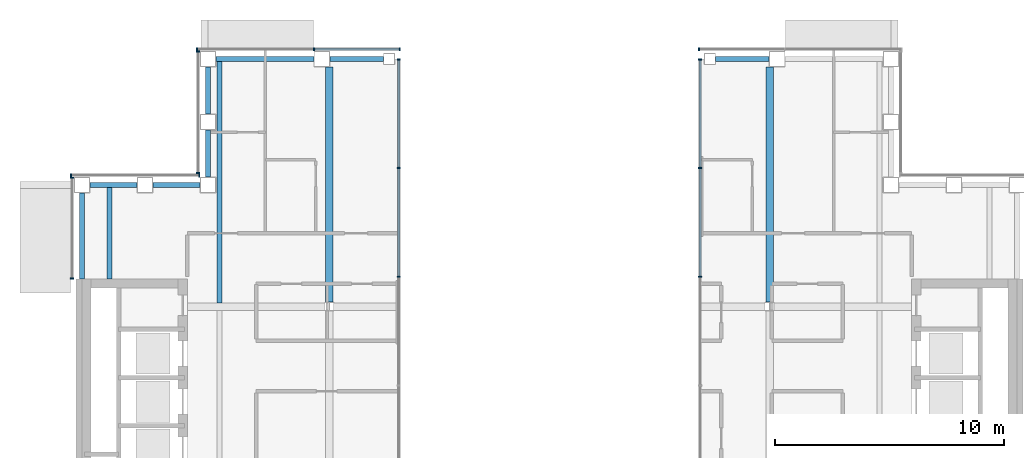
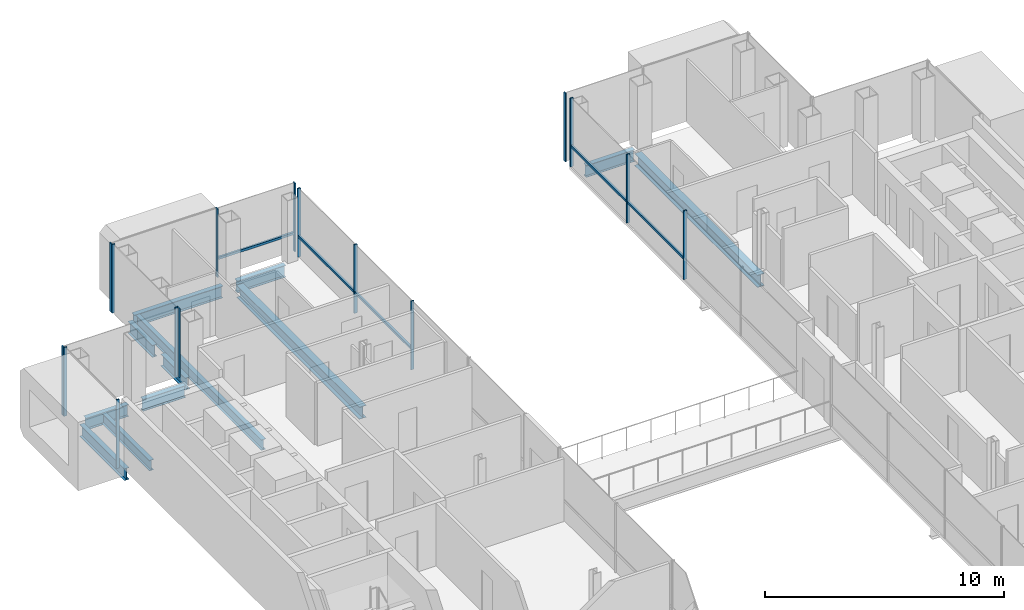
# One storey, part 7 of 17: 21 members, 12 beams, 7 elements without a shape of their own.
"""IFC4 building model written with IfcOpenShell, lengths in metres."""

from ifc_helpers import new_model, si_unit, direction, frame, origin, origin_2d, place, context, subcontext, project, spatial, rectangle, i_section, extrude, material, material_profile, profile_set, type_object, element, aggregate, save


model = new_model("IFC4")

# Units and contexts
model_context = context("Model", 3, precision=1e-05, world=origin(), true_north=direction((0.0, 1.0)))
body_context = subcontext(model_context, "Body", "Model", "MODEL_VIEW")
ifc_project = project(units=[si_unit("LENGTHUNIT", "METRE"), si_unit("AREAUNIT", "SQUARE_METRE"), si_unit("VOLUMEUNIT", "CUBIC_METRE"), si_unit("PLANEANGLEUNIT", "RADIAN"), si_unit("MASSUNIT", "GRAM", prefix="KILO")], contexts=[model_context])

# Site, building, storey
site_placement = place(None, origin())
site = spatial("IfcSite", under=ifc_project, at=site_placement, CompositionType="ELEMENT")
building_placement = place(site_placement, origin())
building = spatial("IfcBuilding", under=site, at=building_placement, Name="Cobrizo Arcos Hotel Tower", CompositionType="ELEMENT")
storey_placement = place(building_placement, frame((0.0, 0.0, 233.0)))
storey = spatial("IfcBuildingStorey", under=building, at=storey_placement, Name="L61", CompositionType="ELEMENT", Elevation=233.0)

# Curtain wall, member
ifc_material_1 = material(Name="Aluminium 6063-T6 anodised bronze", Category="aluminium")
curtain_wall_type_1 = type_object("IfcCurtainWallType", Name="CW-A guest facade", PredefinedType="NOTDEFINED", material=ifc_material_1)
curtain_wall_1_placement = place(storey_placement, origin())
curtain_wall_1 = element("IfcCurtainWall", 1, at=curtain_wall_1_placement, inside=storey, type_object=curtain_wall_type_1, Name="CW-A L61 N face", PredefinedType="NOTDEFINED")
ifc_material_profile_1 = material_profile(ifc_material_1, rectangle(XDim=0.14990234375, YDim=0.06005859375, at=origin_2d()), Name="CW-A mullion 150x60")
ifc_profile_set_1 = profile_set([ifc_material_profile_1], Name="Aluminium 6063-T6 anodised bronze")
member_type_1 = type_object("IfcMemberType", Name="CW-A mullion 150x60", PredefinedType="MULLION", material=ifc_profile_set_1)
member_1_placement = place(storey_placement, frame((6.530029296875, 20.824951171875, 0.0), z_axis=(0.0, 0.0, 1.0), x_axis=(0.0, 1.0, 0.0)))
member_1 = element("IfcMember", 2, at=member_1_placement, type_object=member_type_1, Name="CW-A mullion 3", PredefinedType="MULLION", context=body_context, shape_type="SweptSolid", body=[
    extrude(rectangle(XDim=0.14990234375, YDim=0.06005859375, at=origin_2d()), origin(), (0.0, 0.0, 1.0), 3.5),
])
aggregate(curtain_wall_1, [member_1])

# Curtain wall, members
curtain_wall_2_placement = place(storey_placement, origin())
curtain_wall_2 = element("IfcCurtainWall", 3, at=curtain_wall_2_placement, inside=storey, type_object=curtain_wall_type_1, Name="CW-A L61 N face", PredefinedType="NOTDEFINED")
member_2_placement = place(storey_placement, frame((-6.530029296875, 20.824951171875, 0.0), z_axis=(0.0, 0.0, 1.0), x_axis=(0.0, 1.0, 0.0)))
member_2 = element("IfcMember", 4, at=member_2_placement, type_object=member_type_1, Name="CW-A mullion 1", PredefinedType="MULLION", context=body_context, shape_type="SweptSolid", body=[
    extrude(rectangle(XDim=0.14990234375, YDim=0.06005859375, at=origin_2d()), origin(), (0.0, 0.0, 1.0), 3.5),
])
member_3_placement = place(storey_placement, frame((-10.2666015625, 20.824951171875, 0.0), z_axis=(0.0, 0.0, 1.0), x_axis=(0.0, 1.0, 0.0)))
member_3 = element("IfcMember", 5, at=member_3_placement, type_object=member_type_1, Name="CW-A mullion 2", PredefinedType="MULLION", context=body_context, shape_type="SweptSolid", body=[
    extrude(rectangle(XDim=0.14990234375, YDim=0.06005859375, at=origin_2d()), origin(), (0.0, 0.0, 1.0), 3.5),
])
member_4_placement = place(storey_placement, frame((-15.3701171875, 20.824951171875, 0.0), z_axis=(0.0, 0.0, 1.0), x_axis=(0.0, 1.0, 0.0)))
member_4 = element("IfcMember", 6, at=member_4_placement, type_object=member_type_1, Name="CW-A mullion 3", PredefinedType="MULLION", context=body_context, shape_type="SweptSolid", body=[
    extrude(rectangle(XDim=0.14990234375, YDim=0.06005859375, at=origin_2d()), origin(), (0.0, 0.0, 1.0), 3.5),
])

curtain_wall_3_placement = place(storey_placement, origin())
curtain_wall_3 = element("IfcCurtainWall", 7, at=curtain_wall_3_placement, inside=storey, type_object=curtain_wall_type_1, Name="CW-A L61 W face", PredefinedType="NOTDEFINED")
member_5_placement = place(storey_placement, frame((-15.324951171875, 20.719970703125, 0.0), z_axis=(0.0, 0.0, 1.0), x_axis=(-1.0, 0.0, 0.0)))
member_5 = element("IfcMember", 8, at=member_5_placement, type_object=member_type_1, Name="CW-A mullion 1", PredefinedType="MULLION", context=body_context, shape_type="SweptSolid", body=[
    extrude(rectangle(XDim=0.14990234375, YDim=0.06005859375, at=origin_2d()), origin(), (0.0, 0.0, 1.0), 3.5),
])
member_6_placement = place(storey_placement, frame((-15.324951171875, 15.429931640625, 0.0), z_axis=(0.0, 0.0, 1.0), x_axis=(-1.0, 0.0, 0.0)))
member_6 = element("IfcMember", 9, at=member_6_placement, type_object=member_type_1, Name="CW-A mullion 2", PredefinedType="MULLION", context=body_context, shape_type="SweptSolid", body=[
    extrude(rectangle(XDim=0.14990234375, YDim=0.06005859375, at=origin_2d()), origin(), (0.0, 0.0, 1.0), 3.5),
])
aggregate(curtain_wall_3, [member_5, member_6])

curtain_wall_4_placement = place(storey_placement, origin())
curtain_wall_4 = element("IfcCurtainWall", 10, at=curtain_wall_4_placement, inside=storey, type_object=curtain_wall_type_1, Name="CW-A L61 N face", PredefinedType="NOTDEFINED")
member_7_placement = place(storey_placement, frame((-15.280029296875, 15.324951171875, 0.0), z_axis=(0.0, 0.0, 1.0), x_axis=(0.0, 1.0, 0.0)))
member_7 = element("IfcMember", 11, at=member_7_placement, type_object=member_type_1, Name="CW-A mullion 1", PredefinedType="MULLION", context=body_context, shape_type="SweptSolid", body=[
    extrude(rectangle(XDim=0.14990234375, YDim=0.06005859375, at=origin_2d()), origin(), (0.0, 0.0, 1.0), 3.5),
])
member_8_placement = place(storey_placement, frame((-20.8701171875, 15.324951171875, 0.0), z_axis=(0.0, 0.0, 1.0), x_axis=(0.0, 1.0, 0.0)))
member_8 = element("IfcMember", 12, at=member_8_placement, type_object=member_type_1, Name="CW-A mullion 2", PredefinedType="MULLION", context=body_context, shape_type="SweptSolid", body=[
    extrude(rectangle(XDim=0.14990234375, YDim=0.06005859375, at=origin_2d()), origin(), (0.0, 0.0, 1.0), 3.5),
])
aggregate(curtain_wall_4, [member_7, member_8])

curtain_wall_5_placement = place(storey_placement, origin())
curtain_wall_5 = element("IfcCurtainWall", 13, at=curtain_wall_5_placement, inside=storey, type_object=curtain_wall_type_1, Name="CW-A L61 W face", PredefinedType="NOTDEFINED")
member_9_placement = place(storey_placement, frame((-20.824951171875, 15.219970703125, 0.0), z_axis=(0.0, 0.0, 1.0), x_axis=(-1.0, 0.0, 0.0)))
member_9 = element("IfcMember", 14, at=member_9_placement, type_object=member_type_1, Name="CW-A mullion 1", PredefinedType="MULLION", context=body_context, shape_type="SweptSolid", body=[
    extrude(rectangle(XDim=0.14990234375, YDim=0.06005859375, at=origin_2d()), origin(), (0.0, 0.0, 1.0), 3.5),
])
member_10_placement = place(storey_placement, frame((-20.824951171875, 10.830078125, 0.0), z_axis=(0.0, 0.0, 1.0), x_axis=(-1.0, 0.0, 0.0)))
member_10 = element("IfcMember", 15, at=member_10_placement, type_object=member_type_1, Name="CW-A mullion 2", PredefinedType="MULLION", context=body_context, shape_type="SweptSolid", body=[
    extrude(rectangle(XDim=0.14990234375, YDim=0.06005859375, at=origin_2d()), origin(), (0.0, 0.0, 1.0), 3.5),
])
aggregate(curtain_wall_5, [member_9, member_10])

# Member
ifc_material_profile_2 = material_profile(ifc_material_1, rectangle(XDim=0.10009765625, YDim=0.1201171875, at=origin_2d()), Name="CW-A transom 120x100")
ifc_profile_set_2 = profile_set([ifc_material_profile_2], Name="Aluminium 6063-T6 anodised bronze")
member_type_2 = type_object("IfcMemberType", Name="CW-A transom 120x100", PredefinedType="USERDEFINED", material=ifc_profile_set_2)
member_11_placement = place(storey_placement, frame((-6.56005859375, 20.824951171875, 0.929931640625), z_axis=(-1.0, 0.0, 0.0), x_axis=(0.0, -1.0, 0.0)))
member_11 = element("IfcMember", 16, at=member_11_placement, type_object=member_type_2, Name="CW-A transom 1980", ObjectType="TRANSOM", PredefinedType="USERDEFINED", context=body_context, shape_type="SweptSolid", body=[
    extrude(rectangle(XDim=0.10009765625, YDim=0.1201171875, at=origin_2d()), origin(), (0.0, 0.0, 1.0), 3.676513671875),
])

aggregate(curtain_wall_2, [member_2, member_3, member_4, member_11])

# Curtain wall, members
curtain_wall_type_2 = type_object("IfcCurtainWallType", Name="CW-F void screen", PredefinedType="NOTDEFINED", material=ifc_material_1)
curtain_wall_6_placement = place(storey_placement, origin())
curtain_wall_6 = element("IfcCurtainWall", 17, at=curtain_wall_6_placement, inside=storey, type_object=curtain_wall_type_2, Name="CW-F L61 void screen C", PredefinedType="NOTDEFINED")
ifc_material_profile_3 = material_profile(ifc_material_1, rectangle(XDim=0.14990234375, YDim=0.06005859375, at=origin_2d()), Name="CW-F mullion 150x60")
ifc_profile_set_3 = profile_set([ifc_material_profile_3], Name="Aluminium 6063-T6 anodised bronze")
member_type_3 = type_object("IfcMemberType", Name="CW-F mullion 150x60", PredefinedType="MULLION", material=ifc_profile_set_3)
member_12_placement = place(storey_placement, frame((6.574951171875, 10.89990234375, 0.0), z_axis=(0.0, 0.0, 1.0), x_axis=(1.0, 0.0, 0.0)))
member_12 = element("IfcMember", 18, at=member_12_placement, type_object=member_type_3, Name="CW-F mullion 3", PredefinedType="MULLION", context=body_context, shape_type="SweptSolid", body=[
    extrude(rectangle(XDim=0.14990234375, YDim=0.06005859375, at=origin_2d()), origin(), (0.0, 0.0, 1.0), 3.5),
])
member_13_placement = place(storey_placement, frame((6.574951171875, 15.64990234375, 0.0), z_axis=(0.0, 0.0, 1.0), x_axis=(1.0, 0.0, 0.0)))
member_13 = element("IfcMember", 19, at=member_13_placement, type_object=member_type_3, Name="CW-F mullion 4", PredefinedType="MULLION", context=body_context, shape_type="SweptSolid", body=[
    extrude(rectangle(XDim=0.14990234375, YDim=0.06005859375, at=origin_2d()), origin(), (0.0, 0.0, 1.0), 3.5),
])
member_14_placement = place(storey_placement, frame((6.574951171875, 20.3701171875, 0.0), z_axis=(0.0, 0.0, 1.0), x_axis=(1.0, 0.0, 0.0)))
member_14 = element("IfcMember", 20, at=member_14_placement, type_object=member_type_3, Name="CW-F mullion 5", PredefinedType="MULLION", context=body_context, shape_type="SweptSolid", body=[
    extrude(rectangle(XDim=0.14990234375, YDim=0.06005859375, at=origin_2d()), origin(), (0.0, 0.0, 1.0), 3.5),
])

curtain_wall_7_placement = place(storey_placement, origin())
curtain_wall_7 = element("IfcCurtainWall", 21, at=curtain_wall_7_placement, inside=storey, type_object=curtain_wall_type_2, Name="CW-F L61 void screen C", PredefinedType="NOTDEFINED")
member_15_placement = place(storey_placement, frame((-6.574951171875, 20.3701171875, 0.0), z_axis=(0.0, 0.0, 1.0), x_axis=(-1.0, 0.0, 0.0)))
member_15 = element("IfcMember", 22, at=member_15_placement, type_object=member_type_3, Name="CW-F mullion 1", PredefinedType="MULLION", context=body_context, shape_type="SweptSolid", body=[
    extrude(rectangle(XDim=0.14990234375, YDim=0.06005859375, at=origin_2d()), origin(), (0.0, 0.0, 1.0), 3.5),
])
member_16_placement = place(storey_placement, frame((-6.574951171875, 15.64990234375, 0.0), z_axis=(0.0, 0.0, 1.0), x_axis=(-1.0, 0.0, 0.0)))
member_16 = element("IfcMember", 23, at=member_16_placement, type_object=member_type_3, Name="CW-F mullion 2", PredefinedType="MULLION", context=body_context, shape_type="SweptSolid", body=[
    extrude(rectangle(XDim=0.14990234375, YDim=0.06005859375, at=origin_2d()), origin(), (0.0, 0.0, 1.0), 3.5),
])
member_17_placement = place(storey_placement, frame((-6.574951171875, 10.89990234375, 0.0), z_axis=(0.0, 0.0, 1.0), x_axis=(-1.0, 0.0, 0.0)))
member_17 = element("IfcMember", 24, at=member_17_placement, type_object=member_type_3, Name="CW-F mullion 3", PredefinedType="MULLION", context=body_context, shape_type="SweptSolid", body=[
    extrude(rectangle(XDim=0.14990234375, YDim=0.06005859375, at=origin_2d()), origin(), (0.0, 0.0, 1.0), 3.5),
])

# Member
ifc_material_profile_4 = material_profile(ifc_material_1, rectangle(XDim=0.10009765625, YDim=0.1201171875, at=origin_2d()), Name="CW-F transom 120x100")
ifc_profile_set_4 = profile_set([ifc_material_profile_4], Name="Aluminium 6063-T6 anodised bronze")
member_type_4 = type_object("IfcMemberType", Name="CW-F transom 120x100", PredefinedType="USERDEFINED", material=ifc_profile_set_4)
member_18_placement = place(storey_placement, frame((6.574951171875, 10.929931640625, 1.050048828125), z_axis=(0.0, 1.0, 0.0), x_axis=(-1.0, 0.0, 0.0)))
member_18 = element("IfcMember", 25, at=member_18_placement, type_object=member_type_4, Name="CW-F transom 2754", ObjectType="TRANSOM", PredefinedType="USERDEFINED", context=body_context, shape_type="SweptSolid", body=[
    extrude(rectangle(XDim=0.10009765625, YDim=0.1201171875, at=origin_2d()), origin(), (0.0, 0.0, 1.0), 4.690185546875),
])

member_19_placement = place(storey_placement, frame((6.574951171875, 15.679931640625, 1.050048828125), z_axis=(0.0, 1.0, 0.0), x_axis=(-1.0, 0.0, 0.0)))
member_19 = element("IfcMember", 26, at=member_19_placement, type_object=member_type_4, Name="CW-F transom 2755", ObjectType="TRANSOM", PredefinedType="USERDEFINED", context=body_context, shape_type="SweptSolid", body=[
    extrude(rectangle(XDim=0.10009765625, YDim=0.1201171875, at=origin_2d()), origin(), (0.0, 0.0, 1.0), 4.66015625),
])

aggregate(curtain_wall_6, [member_12, member_13, member_14, member_18, member_19])

member_20_placement = place(storey_placement, frame((-6.574951171875, 20.340087890625, 1.050048828125), z_axis=(0.0, -1.0, 0.0), x_axis=(1.0, 0.0, 0.0)))
member_20 = element("IfcMember", 27, at=member_20_placement, type_object=member_type_4, Name="CW-F transom 2756", ObjectType="TRANSOM", PredefinedType="USERDEFINED", context=body_context, shape_type="SweptSolid", body=[
    extrude(rectangle(XDim=0.10009765625, YDim=0.1201171875, at=origin_2d()), origin(), (0.0, 0.0, 1.0), 4.66015625),
])

member_21_placement = place(storey_placement, frame((-6.574951171875, 15.6201171875, 1.050048828125), z_axis=(0.0, -1.0, 0.0), x_axis=(1.0, 0.0, 0.0)))
member_21 = element("IfcMember", 28, at=member_21_placement, type_object=member_type_4, Name="CW-F transom 2757", ObjectType="TRANSOM", PredefinedType="USERDEFINED", context=body_context, shape_type="SweptSolid", body=[
    extrude(rectangle(XDim=0.10009765625, YDim=0.1201171875, at=origin_2d()), origin(), (0.0, 0.0, 1.0), 4.690185546875),
])

aggregate(curtain_wall_7, [member_15, member_16, member_17, member_20, member_21])

# Beams
ifc_material_2 = material(Name="Steel ASTM A992 Grade 50", Category="steel")
ifc_material_profile_5 = material_profile(ifc_material_2, i_section(OverallWidth=0.209228515625, OverallDepth=0.533447265625, WebThickness=0.01025390625, FlangeThickness=0.015625, at=origin_2d()), Name="W21X62")
ifc_profile_set_5 = profile_set([ifc_material_profile_5], Name="Steel ASTM A992 Grade 50")
beam_type_1 = type_object("IfcBeamType", Name="W21X62 joist", PredefinedType="JOIST", material=ifc_profile_set_5)
beam_1_placement = place(storey_placement, frame((-19.199951171875, 10.81005859375, -0.416748046875), z_axis=(0.0, 1.0, 0.0), x_axis=(-1.0, 0.0, 0.0)))
element("IfcBeam", 29, at=beam_1_placement, inside=storey, type_object=beam_type_1, Name="Floor joist J1, L61, no. 002", PredefinedType="JOIST", context=body_context, shape_type="SweptSolid", body=[
    extrude(i_section(OverallWidth=0.209228515625, OverallDepth=0.533447265625, WebThickness=0.01025390625, FlangeThickness=0.015625, at=origin_2d()), origin(), (0.0, 0.0, 1.0), 4.0),
])
beam_2_placement = place(storey_placement, frame((-14.39990234375, 9.763916015625, -0.416748046875), z_axis=(0.0, 1.0, 0.0), x_axis=(-1.0, 0.0, 0.0)))
element("IfcBeam", 30, at=beam_2_placement, inside=storey, type_object=beam_type_1, Name="Floor joist J1, L61, no. 006", PredefinedType="JOIST", context=body_context, shape_type="SweptSolid", body=[
    extrude(i_section(OverallWidth=0.209228515625, OverallDepth=0.533447265625, WebThickness=0.01025390625, FlangeThickness=0.015625, at=origin_2d()), origin(), (0.0, 0.0, 1.0), 10.546142578125),
])
ifc_material_profile_6 = material_profile(ifc_material_2, i_section(OverallWidth=0.32763671875, OverallDepth=0.622314453125, WebThickness=0.015380859375, FlangeThickness=0.0244140625, at=origin_2d()), Name="W24X131")
ifc_profile_set_6 = profile_set([ifc_material_profile_6], Name="Steel ASTM A992 Grade 50")
beam_type_2 = type_object("IfcBeamType", Name="W24X131 girder", PredefinedType="BEAM", material=ifc_profile_set_6)
for number, where, z_axis, x_axis, name in (
    (31, (-9.60009765625, 9.78662109375, -0.461181640625), (0.0, 1.0, 0.0), (-1.0, 0.0, 0.0), "Floor girder G1, L61, no. 015"),
    (32, (9.60009765625, 9.78662109375, -0.461181640625), (0.0, 1.0, 0.0), (-1.0, 0.0, 0.0), "Floor girder G1, L61, no. 019"),
):
    element("IfcBeam", number, at=place(storey_placement, frame(where, z_axis=z_axis, x_axis=x_axis)), inside=storey, type_object=beam_type_2, Name=name, PredefinedType="BEAM", context=body_context, shape_type="SweptSolid", body=[
        extrude(i_section(OverallWidth=0.32763671875, OverallDepth=0.622314453125, WebThickness=0.015380859375, FlangeThickness=0.0244140625, at=origin_2d()), origin(), (0.0, 0.0, 1.0), 10.263427734375),
    ])
ifc_material_profile_7 = material_profile(ifc_material_2, i_section(OverallWidth=0.228271484375, OverallDepth=0.607177734375, WebThickness=0.01123046875, FlangeThickness=0.017333984375, at=origin_2d()), Name="W24X76")
ifc_profile_set_7 = profile_set([ifc_material_profile_7], Name="Steel ASTM A992 Grade 50")
beam_type_3 = type_object("IfcBeamType", Name="W24X76 spandrel", PredefinedType="SPANDREL", material=ifc_profile_set_7)
beam_3_placement = place(storey_placement, frame((-20.39990234375, 10.81005859375, -0.45361328125), z_axis=(0.0, 1.0, 0.0), x_axis=(-1.0, 0.0, 0.0)))
element("IfcBeam", 33, at=beam_3_placement, inside=storey, type_object=beam_type_3, Name="Spandrel beam W24X76, L61, no. 018", PredefinedType="SPANDREL", context=body_context, shape_type="SweptSolid", body=[
    extrude(i_section(OverallWidth=0.228271484375, OverallDepth=0.607177734375, WebThickness=0.01123046875, FlangeThickness=0.017333984375, at=origin_2d()), origin(), (0.0, 0.0, 1.0), 3.739990234375),
])
for number, where, z_axis, x_axis, name in (
    (34, (-20.050048828125, 14.89990234375, -0.45361328125), (1.0, 0.0, 0.0), (0.0, 1.0, 0.0), "Spandrel beam W24X76, L61, no. 019"),
    (35, (-17.300048828125, 14.89990234375, -0.45361328125), (1.0, 0.0, 0.0), (0.0, 1.0, 0.0), "Spandrel beam W24X76, L61, no. 020"),
    (36, (-14.89990234375, 15.25, -0.45361328125), (0.0, 1.0, 0.0), (-1.0, 0.0, 0.0), "Spandrel beam W24X76, L61, no. 021"),
    (37, (-14.89990234375, 18.0, -0.45361328125), (0.0, 1.0, 0.0), (-1.0, 0.0, 0.0), "Spandrel beam W24X76, L61, no. 022"),
):
    element("IfcBeam", number, at=place(storey_placement, frame(where, z_axis=z_axis, x_axis=x_axis)), inside=storey, type_object=beam_type_3, Name=name, PredefinedType="SPANDREL", context=body_context, shape_type="SweptSolid", body=[
        extrude(i_section(OverallWidth=0.228271484375, OverallDepth=0.607177734375, WebThickness=0.01123046875, FlangeThickness=0.017333984375, at=origin_2d()), origin(), (0.0, 0.0, 1.0), 2.050048828125),
    ])
beam_4_placement = place(storey_placement, frame((-14.550048828125, 20.39990234375, -0.45361328125), z_axis=(1.0, 0.0, 0.0), x_axis=(0.0, 1.0, 0.0)))
element("IfcBeam", 38, at=beam_4_placement, inside=storey, type_object=beam_type_3, Name="Spandrel beam W24X76, L61, no. 023", PredefinedType="SPANDREL", context=body_context, shape_type="SweptSolid", body=[
    extrude(i_section(OverallWidth=0.228271484375, OverallDepth=0.607177734375, WebThickness=0.01123046875, FlangeThickness=0.017333984375, at=origin_2d()), origin(), (0.0, 0.0, 1.0), 4.26708984375),
])
for number, where, z_axis, x_axis, name in (
    (39, (-9.5830078125, 20.39990234375, -0.45361328125), (1.0, 0.0, 0.0), (0.0, 1.0, 0.0), "Spandrel beam W24X76, L61, no. 024"),
    (40, (7.25, 20.39990234375, -0.45361328125), (1.0, 0.0, 0.0), (0.0, 1.0, 0.0), "Spandrel beam W24X76, L61, no. 025"),
):
    element("IfcBeam", number, at=place(storey_placement, frame(where, z_axis=z_axis, x_axis=x_axis)), inside=storey, type_object=beam_type_3, Name=name, PredefinedType="SPANDREL", context=body_context, shape_type="SweptSolid", body=[
        extrude(i_section(OverallWidth=0.228271484375, OverallDepth=0.607177734375, WebThickness=0.01123046875, FlangeThickness=0.017333984375, at=origin_2d()), origin(), (0.0, 0.0, 1.0), 2.3330078125),
    ])

save(model, "model.ifc")
